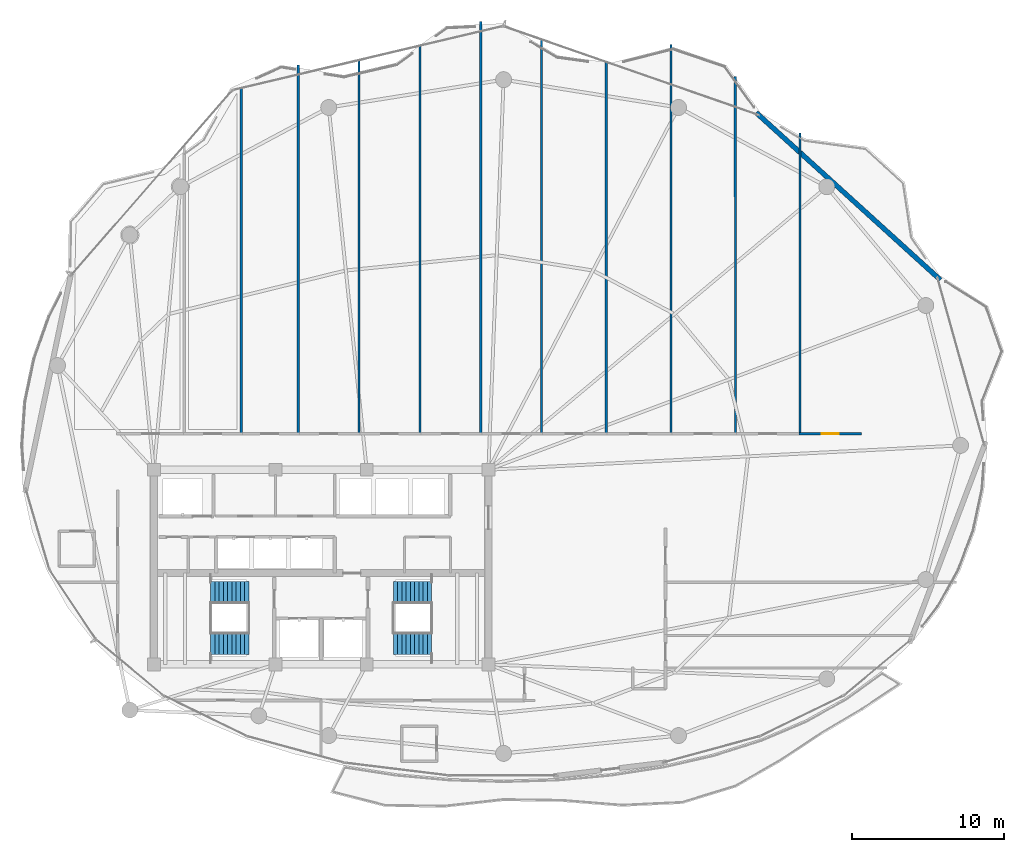
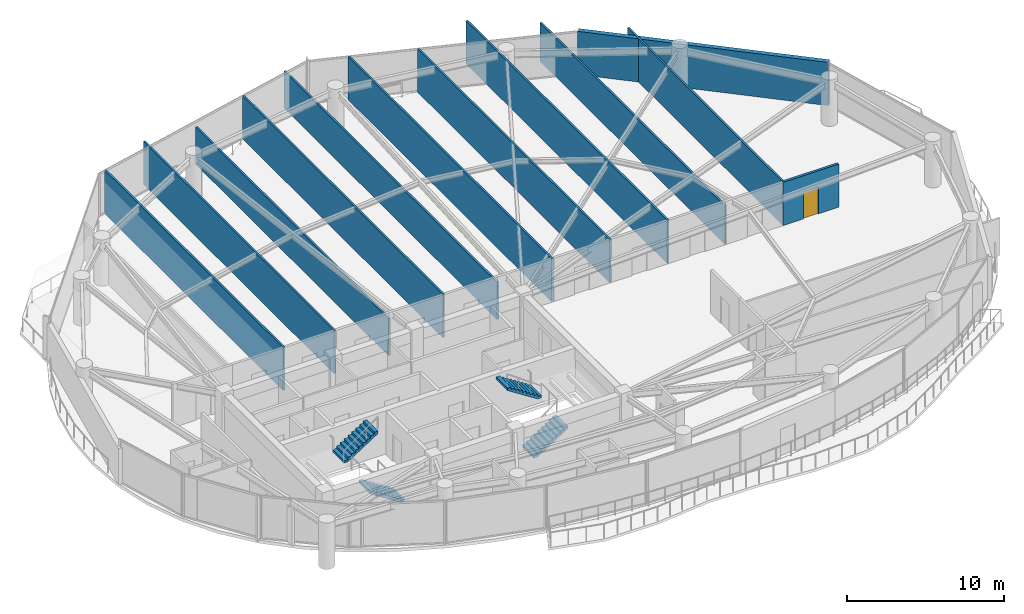
# One storey, part 25 of 29: 12 walls, 4 stair flights, 1 door, 1 opening, 2 elements without a shape of their own.
"""IFC4 building model written with IfcOpenShell, lengths in metres."""

from ifc_helpers import new_model, si_unit, direction, frame, frame_2d, origin, place, context, subcontext, project, spatial, polyline, rectangle, outline, extrude, material, layer, layer_set, type_object, element, fill, aggregate, save


model = new_model("IFC4")

# Units and contexts
model_context = context("Model", 3, precision=1e-05, world=origin(), true_north=direction((0.0, 1.0)))
body_context = subcontext(model_context, "Body", "Model", "MODEL_VIEW")
ifc_project = project(units=[si_unit("LENGTHUNIT", "METRE"), si_unit("AREAUNIT", "SQUARE_METRE"), si_unit("VOLUMEUNIT", "CUBIC_METRE"), si_unit("PLANEANGLEUNIT", "RADIAN"), si_unit("MASSUNIT", "GRAM", prefix="KILO")], contexts=[model_context])

# Site, building, storey
site_placement = place(None, origin())
site = spatial("IfcSite", under=ifc_project, at=site_placement, CompositionType="ELEMENT")
building_placement = place(site_placement, origin())
building = spatial("IfcBuilding", under=site, at=building_placement, Name="Kazevale Care Tower and Concert Hall", CompositionType="ELEMENT")
storey_placement = place(building_placement, frame((0.0, 0.0, 195.60009765625)))
storey = spatial("IfcBuildingStorey", under=building, at=storey_placement, Name="L51", CompositionType="ELEMENT", Elevation=195.60009765625)

# Walls
ifc_material_1 = material(Name="Acoustic Gypsum on Steel Stud", Category="steel")
ifc_layer_1 = layer(ifc_material_1, 0.139892578125)
ifc_layer_set_1 = layer_set([ifc_layer_1], Name="Acoustic Gypsum on Steel Stud")
wall_type_1 = type_object("IfcWallType", Name="Acoustic Care & Suite Partition 140", PredefinedType="PARTITIONING", material=ifc_layer_set_1)
wall_1_placement = place(storey_placement, frame((27.75, 61.48388671875, 0.0), z_axis=(0.0, 0.0, 1.0), x_axis=(0.0, -1.0, 0.0)))
element("IfcWall", 1, at=wall_1_placement, inside=storey, type_object=wall_type_1, Name="wall:L51:auto_025", PredefinedType="PARTITIONING", context=body_context, shape_type="SweptSolid", body=[
    extrude(rectangle(XDim=22.73876953125, YDim=0.139892578125, at=frame_2d((11.369384765625, 0.0))), origin(), (0.0, 0.0, 1.0), 3.35986328125),
])
wall_2_placement = place(storey_placement, frame((31.5, 63.02001953125, 0.0), z_axis=(0.0, 0.0, 1.0), x_axis=(0.0, -1.0, 0.0)))
element("IfcWall", 2, at=wall_2_placement, inside=storey, type_object=wall_type_1, Name="wall:L51:auto_026", PredefinedType="PARTITIONING", context=body_context, shape_type="SweptSolid", body=[
    extrude(rectangle(XDim=24.27490234375, YDim=0.139892578125, at=frame_2d((12.137451171875, 0.0))), origin(), (0.0, 0.0, 1.0), 3.35986328125),
])
wall_3_placement = place(storey_placement, frame((35.5, 63.319091796875, 0.0), z_axis=(0.0, 0.0, 1.0), x_axis=(0.0, -1.0, 0.0)))
element("IfcWall", 3, at=wall_3_placement, inside=storey, type_object=wall_type_1, Name="wall:L51:auto_027", PredefinedType="PARTITIONING", context=body_context, shape_type="SweptSolid", body=[
    extrude(rectangle(XDim=24.573974609375, YDim=0.139892578125, at=frame_2d((12.287109375, 0.0))), origin(), (0.0, 0.0, 1.0), 2.889892578125),
])
wall_4_placement = place(storey_placement, frame((39.5, 64.266357421875, 0.0), z_axis=(0.0, 0.0, 1.0), x_axis=(0.0, -1.0, 0.0)))
element("IfcWall", 4, at=wall_4_placement, inside=storey, type_object=wall_type_1, Name="wall:L51:auto_028", PredefinedType="PARTITIONING", context=body_context, shape_type="SweptSolid", body=[
    extrude(rectangle(XDim=25.521240234375, YDim=0.139892578125, at=frame_2d((12.7607421875, 0.0))), origin(), (0.0, 0.0, 1.0), 3.35986328125),
])
wall_5_placement = place(storey_placement, frame((43.5, 65.881103515625, 0.0), z_axis=(0.0, 0.0, 1.0), x_axis=(0.0, -1.0, 0.0)))
element("IfcWall", 5, at=wall_5_placement, inside=storey, type_object=wall_type_1, Name="wall:L51:auto_029", PredefinedType="PARTITIONING", context=body_context, shape_type="SweptSolid", body=[
    extrude(rectangle(XDim=27.135986328125, YDim=0.139892578125, at=frame_2d((13.56787109375, 0.0))), origin(), (0.0, 0.0, 1.0), 2.889892578125),
])
wall_6_placement = place(storey_placement, frame((47.5, 64.672119140625, 0.0), z_axis=(0.0, 0.0, 1.0), x_axis=(0.0, -1.0, 0.0)))
element("IfcWall", 6, at=wall_6_placement, inside=storey, type_object=wall_type_1, Name="wall:L51:auto_030", PredefinedType="PARTITIONING", context=body_context, shape_type="SweptSolid", body=[
    extrude(rectangle(XDim=25.927001953125, YDim=0.139892578125, at=frame_2d((12.96337890625, 0.0))), origin(), (0.0, 0.0, 1.0), 3.35986328125),
])
wall_7_placement = place(storey_placement, frame((51.75, 63.193603515625, 0.0), z_axis=(0.0, 0.0, 1.0), x_axis=(0.0, -1.0, 0.0)))
element("IfcWall", 7, at=wall_7_placement, inside=storey, type_object=wall_type_1, Name="wall:L51:auto_031", PredefinedType="PARTITIONING", context=body_context, shape_type="SweptSolid", body=[
    extrude(rectangle(XDim=24.448486328125, YDim=0.139892578125, at=frame_2d((12.22412109375, 0.0))), origin(), (0.0, 0.0, 1.0), 3.35986328125),
])
wall_8_placement = place(storey_placement, frame((56.0, 64.35009765625, 0.0), z_axis=(0.0, 0.0, 1.0), x_axis=(0.0, -1.0, 0.0)))
element("IfcWall", 8, at=wall_8_placement, inside=storey, type_object=wall_type_1, Name="wall:L51:auto_032", PredefinedType="PARTITIONING", context=body_context, shape_type="SweptSolid", body=[
    extrude(rectangle(XDim=25.60498046875, YDim=0.139892578125, at=frame_2d((12.802490234375, 0.0))), origin(), (0.0, 0.0, 1.0), 3.35986328125),
])
wall_9_placement = place(storey_placement, frame((60.22900390625, 62.260986328125, 0.0), z_axis=(0.0, 0.0, 1.0), x_axis=(0.000892847517, -0.999999601412, 0.0)))
element("IfcWall", 9, at=wall_9_placement, inside=storey, type_object=wall_type_1, Name="wall:L51:auto_033", PredefinedType="PARTITIONING", context=body_context, shape_type="SweptSolid", body=[
    extrude(rectangle(XDim=23.515869140625, YDim=0.139892578125, at=frame_2d((11.7578125, 0.0))), origin(), (0.0, 0.0, 1.0), 2.995849609375),
])
wall_10_placement = place(storey_placement, frame((64.5, 58.531982421875, 0.0), z_axis=(0.0, 0.0, 1.0), x_axis=(0.0, -1.0, 0.0)))
element("IfcWall", 10, at=wall_10_placement, inside=storey, type_object=wall_type_1, Name="wall:L51:auto_034", PredefinedType="PARTITIONING", context=body_context, shape_type="SweptSolid", body=[
    extrude(rectangle(XDim=19.786865234375, YDim=0.139892578125, at=frame_2d((9.8935546875, 0.0))), origin(), (0.0, 0.0, 1.0), 3.35986328125),
])

# Wall, opening, door
ifc_material_2 = material(Name="Concrete C40 and Acoustic Gypsum", Category="concrete")
ifc_layer_2 = layer(ifc_material_2, 0.179931640625)
ifc_layer_set_2 = layer_set([ifc_layer_2], Name="Concrete C40 and Acoustic Gypsum")
wall_type_2 = type_object("IfcWallType", Name="Fire-Rated Corridor & Party Wall 180", PredefinedType="PARTITIONING", material=ifc_layer_set_2)
wall_11_placement = place(storey_placement, frame((64.43505859375, 38.77490234375, 0.0), z_axis=(0.0, 0.0, 1.0), x_axis=(1.0, 0.0, 0.0)))
wall_11 = element("IfcWall", 11, at=wall_11_placement, inside=storey, type_object=wall_type_2, Name="wall:L51:auto_012", PredefinedType="PARTITIONING", context=body_context, shape_type="SweptSolid", body=[
    extrude(rectangle(XDim=4.094970703125, YDim=0.179931640625, at=frame_2d((2.04736328125, 0.0))), origin(), (0.0, 0.0, 1.0), 3.35986328125),
])
opening_placement = place(wall_11_placement, frame((1.4970703125, 0.0, 0.0)))
opening = element("IfcOpeningElement", 12, at=opening_placement, cuts=wall_11, Name="Opening ID-1100", PredefinedType="OPENING", context=body_context, shape_type="SweptSolid", body=[
    extrude(rectangle(XDim=1.10009765625, YDim=2.10009765625, at=frame_2d((0.550048828125, 1.050048828125))), frame((0.0, 0.099853515625, 0.0), z_axis=(0.0, -1.0, 0.0), x_axis=(1.0, 0.0, 0.0)), (0.0, 0.0, 1.0), 0.199951171875),
])
ifc_material_3 = material(Name="Oak Timber Fire Leaf", Category="wood")
door_type = type_object("IfcDoorType", Name="Care Bedroom Accessible Door 1100x2100", OperationType="NOTDEFINED", PredefinedType="DOOR", material=ifc_material_3)
door_placement = place(opening_placement, origin())
door = element("IfcDoor", 13, at=door_placement, inside=storey, type_object=door_type, Name="door:L51:ad_012", OperationType="SINGLE_SWING_LEFT", OverallHeight=2.10009765625, OverallWidth=1.10009765625, PredefinedType="DOOR", context=body_context, shape_type="SweptSolid", body=[
    extrude(rectangle(XDim=1.10009765625, YDim=2.10009765625, at=frame_2d((0.550048828125, 1.050048828125))), frame((0.0, 0.02490234375, 0.0), z_axis=(0.0, -1.0, 0.0), x_axis=(1.0, 0.0, 0.0)), (0.0, 0.0, 1.0), 0.050048828125),
])
fill(opening, door)

# Wall
ifc_material_4 = material(Name="Concrete C40 with Honed Limestone Cladding", Category="masonry")
ifc_layer_3 = layer(ifc_material_4, 0.320068359375)
ifc_layer_set_3 = layer_set([ifc_layer_3], Name="Concrete C40 with Honed Limestone Cladding")
wall_type_3 = type_object("IfcWallType", Name="Tower Honed Limestone Spandrel Wall 320", PredefinedType="STANDARD", material=ifc_layer_set_3)
wall_12_placement = place(storey_placement, frame((61.60205078125, 59.884033203125, 0.0), z_axis=(0.0, 0.0, 1.0), x_axis=(0.740416582554, -0.672148260638, 0.0)))
element("IfcWall", 14, at=wall_12_placement, inside=storey, type_object=wall_type_3, Name="wall:cw:L51:f17", PredefinedType="STANDARD", context=body_context, shape_type="SweptSolid", body=[
    extrude(rectangle(XDim=16.361083984375, YDim=0.320068359375, at=frame_2d((8.1806640625, 0.0))), origin(), (0.0, 0.0, 1.0), 3.35986328125),
])

# Stair, stair flights
ifc_material_5 = material(Name="Concrete C40", Category="concrete")
stair_type = type_object("IfcStairType", Name="Exit Stair Assembly ST1-Z3", PredefinedType="HALF_TURN_STAIR", material=ifc_material_5)
stair_1_placement = place(storey_placement, origin())
stair_1 = element("IfcStair", 15, at=stair_1_placement, inside=storey, type_object=stair_type, Name="stair:L51:ST1", PredefinedType="HALF_TURN_STAIR")
ifc_layer_4 = layer(ifc_material_5, 0.159912109375)
ifc_layer_set_4 = layer_set([ifc_layer_4], Name="Concrete C40")
stair_flight_type = type_object("IfcStairFlightType", Name="Exit Stair Flight ST1-Z3", PredefinedType="STRAIGHT", material=ifc_layer_set_4)
stair_flight_1_placement = place(storey_placement, frame((28.25, 24.97509765625, 0.0), z_axis=(0.0, 0.0, 1.0), x_axis=(-1.0, 0.0, 0.0)))
stair_flight_1 = element("IfcStairFlight", 16, at=stair_flight_1_placement, type_object=stair_flight_type, Name="ST1-Z3 flight 1", NumberOfRisers=10, NumberOfTreads=9, PredefinedType="STRAIGHT", RiserHeight=0.18, TreadLength=0.28, context=body_context, shape_type="SweptSolid", body=[
    extrude(outline(polyline([(0.0, 0.0), (0.0, 0.179931640625), (0.280029296875, 0.179931640625), (0.280029296875, 0.360107421875), (0.56005859375, 0.360107421875), (0.56005859375, 0.5400390625), (0.840087890625, 0.5400390625), (0.840087890625, 0.719970703125), (1.1201171875, 0.719970703125), (1.1201171875, 0.89990234375), (1.39990234375, 0.89990234375), (1.39990234375, 1.080078125), (1.679931640625, 1.080078125), (1.679931640625, 1.260009765625), (1.9599609375, 1.260009765625), (1.9599609375, 1.43994140625), (2.239990234375, 1.43994140625), (2.239990234375, 1.6201171875), (2.52001953125, 1.6201171875), (2.52001953125, 1.800048828125), (2.52001953125, 1.429931640625), (0.295654296875, 0.0), (0.0, 0.0)])), frame((0.0, 0.72509765625, 0.0), z_axis=(0.0, -1.0, 0.0), x_axis=(1.0, 0.0, 0.0)), (0.0, 0.0, 1.0), 1.449951171875),
])
stair_flight_2_placement = place(storey_placement, frame((25.72998046875, 28.324951171875, 1.7998046875), z_axis=(0.0, 0.0, 1.0), x_axis=(1.0, 0.0, 0.0)))
stair_flight_2 = element("IfcStairFlight", 17, at=stair_flight_2_placement, type_object=stair_flight_type, Name="ST1-Z3 flight 2", NumberOfRisers=10, NumberOfTreads=9, PredefinedType="STRAIGHT", RiserHeight=0.18, TreadLength=0.28, context=body_context, shape_type="SweptSolid", body=[
    extrude(outline(polyline([(0.0, 0.0), (0.0, 0.179931640625), (0.280029296875, 0.179931640625), (0.280029296875, 0.360107421875), (0.56005859375, 0.360107421875), (0.56005859375, 0.5400390625), (0.840087890625, 0.5400390625), (0.840087890625, 0.719970703125), (1.1201171875, 0.719970703125), (1.1201171875, 0.89990234375), (1.39990234375, 0.89990234375), (1.39990234375, 1.080078125), (1.679931640625, 1.080078125), (1.679931640625, 1.260009765625), (1.9599609375, 1.260009765625), (1.9599609375, 1.43994140625), (2.239990234375, 1.43994140625), (2.239990234375, 1.6201171875), (2.52001953125, 1.6201171875), (2.52001953125, 1.800048828125), (2.52001953125, 1.429931640625), (0.295654296875, 0.0), (0.0, 0.0)])), frame((0.0, 0.72509765625, 0.0), z_axis=(0.0, -1.0, 0.0), x_axis=(1.0, 0.0, 0.0)), (0.0, 0.0, 1.0), 1.449951171875),
])
aggregate(stair_1, [stair_flight_1, stair_flight_2])

stair_2_placement = place(storey_placement, origin())
stair_2 = element("IfcStair", 18, at=stair_2_placement, inside=storey, type_object=stair_type, Name="stair:L51:ST2", PredefinedType="HALF_TURN_STAIR")
stair_flight_3_placement = place(storey_placement, frame((37.75, 24.97509765625, 0.0), z_axis=(0.0, 0.0, 1.0), x_axis=(1.0, 0.0, 0.0)))
stair_flight_3 = element("IfcStairFlight", 19, at=stair_flight_3_placement, type_object=stair_flight_type, Name="ST1-Z3 flight 1", NumberOfRisers=10, NumberOfTreads=9, PredefinedType="STRAIGHT", RiserHeight=0.18, TreadLength=0.28, context=body_context, shape_type="SweptSolid", body=[
    extrude(outline(polyline([(0.0, 0.0), (0.0, 0.179931640625), (0.280029296875, 0.179931640625), (0.280029296875, 0.360107421875), (0.56005859375, 0.360107421875), (0.56005859375, 0.5400390625), (0.840087890625, 0.5400390625), (0.840087890625, 0.719970703125), (1.1201171875, 0.719970703125), (1.1201171875, 0.89990234375), (1.39990234375, 0.89990234375), (1.39990234375, 1.080078125), (1.679931640625, 1.080078125), (1.679931640625, 1.260009765625), (1.9599609375, 1.260009765625), (1.9599609375, 1.43994140625), (2.239990234375, 1.43994140625), (2.239990234375, 1.6201171875), (2.52001953125, 1.6201171875), (2.52001953125, 1.800048828125), (2.52001953125, 1.429931640625), (0.295654296875, 0.0), (0.0, 0.0)])), frame((0.0, 0.72509765625, 0.0), z_axis=(0.0, -1.0, 0.0), x_axis=(1.0, 0.0, 0.0)), (0.0, 0.0, 1.0), 1.449951171875),
])
stair_flight_4_placement = place(storey_placement, frame((40.27001953125, 28.324951171875, 1.7998046875), z_axis=(0.0, 0.0, 1.0), x_axis=(-1.0, 0.0, 0.0)))
stair_flight_4 = element("IfcStairFlight", 20, at=stair_flight_4_placement, type_object=stair_flight_type, Name="ST1-Z3 flight 2", NumberOfRisers=10, NumberOfTreads=9, PredefinedType="STRAIGHT", RiserHeight=0.18, TreadLength=0.28, context=body_context, shape_type="SweptSolid", body=[
    extrude(outline(polyline([(0.0, 0.0), (0.0, 0.179931640625), (0.280029296875, 0.179931640625), (0.280029296875, 0.360107421875), (0.56005859375, 0.360107421875), (0.56005859375, 0.5400390625), (0.840087890625, 0.5400390625), (0.840087890625, 0.719970703125), (1.1201171875, 0.719970703125), (1.1201171875, 0.89990234375), (1.39990234375, 0.89990234375), (1.39990234375, 1.080078125), (1.679931640625, 1.080078125), (1.679931640625, 1.260009765625), (1.9599609375, 1.260009765625), (1.9599609375, 1.43994140625), (2.239990234375, 1.43994140625), (2.239990234375, 1.6201171875), (2.52001953125, 1.6201171875), (2.52001953125, 1.800048828125), (2.52001953125, 1.429931640625), (0.295654296875, 0.0), (0.0, 0.0)])), frame((0.0, 0.72509765625, 0.0), z_axis=(0.0, -1.0, 0.0), x_axis=(1.0, 0.0, 0.0)), (0.0, 0.0, 1.0), 1.449951171875),
])
aggregate(stair_2, [stair_flight_3, stair_flight_4])

save(model, "model.ifc")
